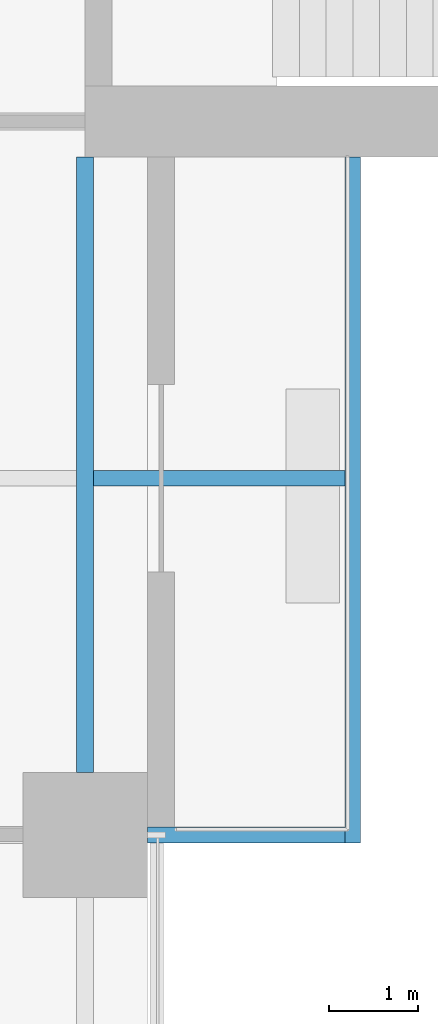
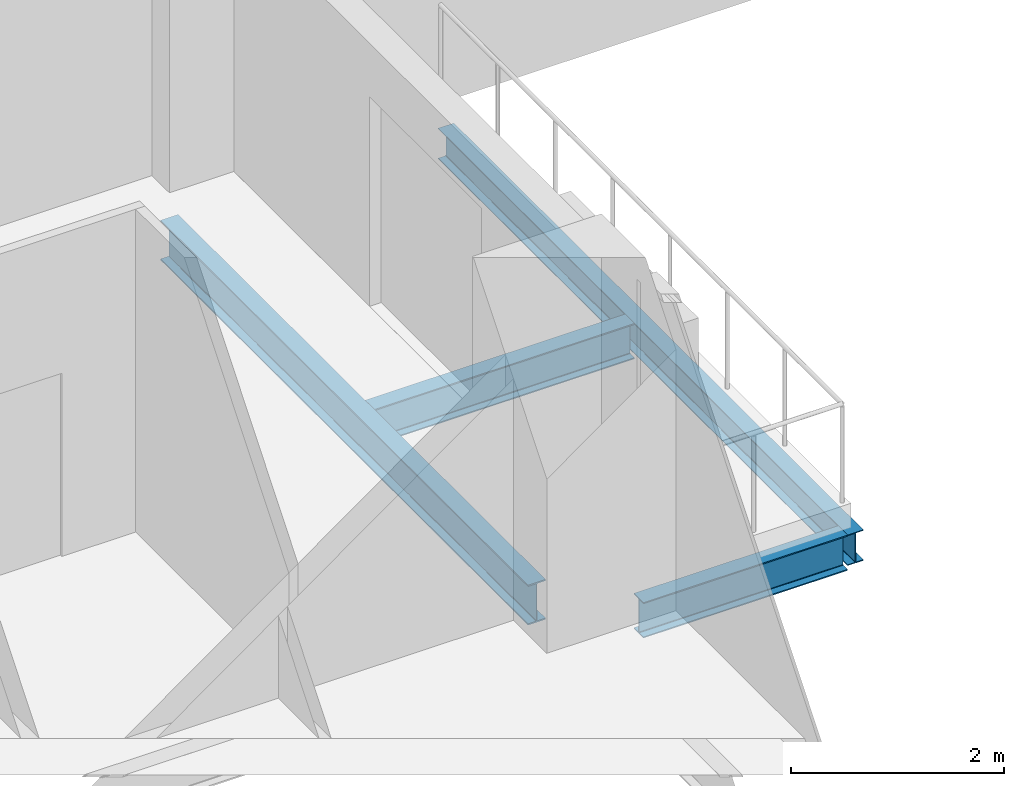
# One storey, part 5 of 27: 4 beams.
"""IFC4 building model written with IfcOpenShell, lengths in metres."""

from ifc_helpers import new_model, si_unit, direction, frame, origin, origin_2d, place, context, subcontext, project, spatial, i_section, extrude, material, material_profile, profile_set, type_object, element, save


model = new_model("IFC4")

# Units and contexts
model_context = context("Model", 3, precision=1e-05, world=origin(), true_north=direction((0.0, 1.0)))
body_context = subcontext(model_context, "Body", "Model", "MODEL_VIEW")
ifc_project = project(units=[si_unit("LENGTHUNIT", "METRE"), si_unit("AREAUNIT", "SQUARE_METRE"), si_unit("VOLUMEUNIT", "CUBIC_METRE"), si_unit("PLANEANGLEUNIT", "RADIAN"), si_unit("MASSUNIT", "GRAM", prefix="KILO")], contexts=[model_context])

# Site, building, storey
site_placement = place(None, origin())
site = spatial("IfcSite", under=ifc_project, at=site_placement, CompositionType="ELEMENT")
building_placement = place(site_placement, origin())
building = spatial("IfcBuilding", under=site, at=building_placement, Name="Crosswind Convention Tower", CompositionType="ELEMENT")
storey_placement = place(building_placement, frame((0.0, 0.0, 64.60009765625)))
storey = spatial("IfcBuildingStorey", under=building, at=storey_placement, Name="L10", CompositionType="ELEMENT", Elevation=64.60009765625)

# Beams
ifc_material = material(Name="Steel S355", Category="steel")
ifc_material_profile_1 = material_profile(ifc_material, i_section(OverallWidth=0.177734375, OverallDepth=0.406494140625, WebThickness=0.0078125, FlangeThickness=0.0126953125, FilletRadius=0.01025390625, at=origin_2d()), Name="UB 406x178x60")
ifc_profile_set_1 = profile_set([ifc_material_profile_1], Name="Steel S355")
beam_type_1 = type_object("IfcBeamType", Name="Balcony cantilever UB 406x178x60", PredefinedType="BEAM", material=ifc_profile_set_1)
beam_1_placement = place(storey_placement, frame((137.09521484375, 84.0, -0.4833984375), z_axis=(1.0, 0.0, 0.0), x_axis=(0.0, 1.0, 0.0)))
element("IfcBeam", 1, at=beam_1_placement, inside=storey, type_object=beam_type_1, Name="B35 L10 balcony cantilever SE 10", PredefinedType="BEAM", context=body_context, shape_type="SweptSolid", body=[
    extrude(i_section(OverallWidth=0.177734375, OverallDepth=0.406494140625, WebThickness=0.0078125, FlangeThickness=0.0126953125, FilletRadius=0.01025390625, at=origin_2d()), origin(), (0.0, 0.0, 1.0), 2.8193359375),
])
beam_2_placement = place(storey_placement, frame((137.699951171875, 80.0, -0.4833984375), z_axis=(1.0, 0.0, 0.0), x_axis=(0.0, 1.0, 0.0)))
element("IfcBeam", 2, at=beam_2_placement, inside=storey, type_object=beam_type_1, Name="B35 L10 balcony cantilever SE 11", PredefinedType="BEAM", context=body_context, shape_type="SweptSolid", body=[
    extrude(i_section(OverallWidth=0.177734375, OverallDepth=0.406494140625, WebThickness=0.0078125, FlangeThickness=0.0126953125, FilletRadius=0.01025390625, at=origin_2d()), origin(), (0.0, 0.0, 1.0), 2.214599609375),
])
ifc_material_profile_2 = material_profile(ifc_material, i_section(OverallWidth=0.1708984375, OverallDepth=0.35205078125, WebThickness=0.0068359375, FlangeThickness=0.009765625, FilletRadius=0.01025390625, at=origin_2d()), Name="UB 356x171x45")
ifc_profile_set_2 = profile_set([ifc_material_profile_2], Name="Steel S355")
beam_type_2 = type_object("IfcBeamType", Name="Balcony edge beam UB 356x171x45", PredefinedType="BEAM", material=ifc_profile_set_2)
beam_3_placement = place(storey_placement, frame((140.0, 87.60009765625, -0.4560546875), z_axis=(0.0, -1.0, 0.0), x_axis=(1.0, 0.0, 0.0)))
element("IfcBeam", 3, at=beam_3_placement, inside=storey, type_object=beam_type_2, Name="B37 L10 balcony edge beam SE 12", PredefinedType="BEAM", context=body_context, shape_type="SweptSolid", body=[
    extrude(i_section(OverallWidth=0.1708984375, OverallDepth=0.35205078125, WebThickness=0.0068359375, FlangeThickness=0.009765625, FilletRadius=0.01025390625, at=origin_2d()), origin(), (0.0, 0.0, 1.0), 7.68896484375),
])
ifc_material_profile_3 = material_profile(ifc_material, i_section(OverallWidth=0.1904296875, OverallDepth=0.457275390625, WebThickness=0.009033203125, FlangeThickness=0.014404296875, FilletRadius=0.01025390625, at=origin_2d()), Name="UB 457x191x75")
ifc_profile_set_3 = profile_set([ifc_material_profile_3], Name="Steel S355")
beam_type_3 = type_object("IfcBeamType", Name="Edge beam UB 457x191x75", PredefinedType="SPANDREL", material=ifc_profile_set_3)
beam_4_placement = place(storey_placement, frame((137.0, 80.699951171875, -0.5087890625), z_axis=(0.0, 1.0, 0.0), x_axis=(-1.0, 0.0, 0.0)))
element("IfcBeam", 4, at=beam_4_placement, inside=storey, type_object=beam_type_3, Name="B17 L10 edge beam 20", PredefinedType="SPANDREL", context=body_context, shape_type="SweptSolid", body=[
    extrude(i_section(OverallWidth=0.1904296875, OverallDepth=0.457275390625, WebThickness=0.009033203125, FlangeThickness=0.014404296875, FilletRadius=0.01025390625, at=origin_2d()), origin(), (0.0, 0.0, 1.0), 6.900146484375),
])

save(model, "model.ifc")
